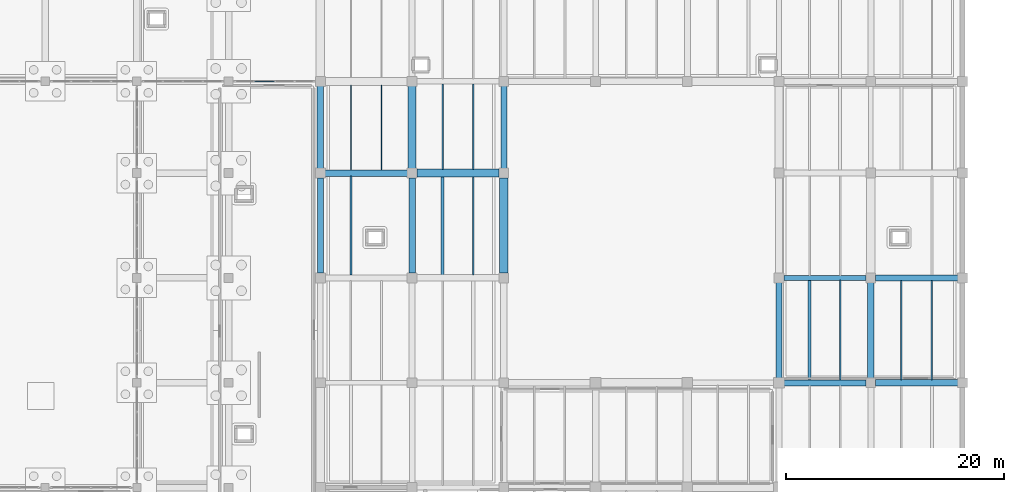
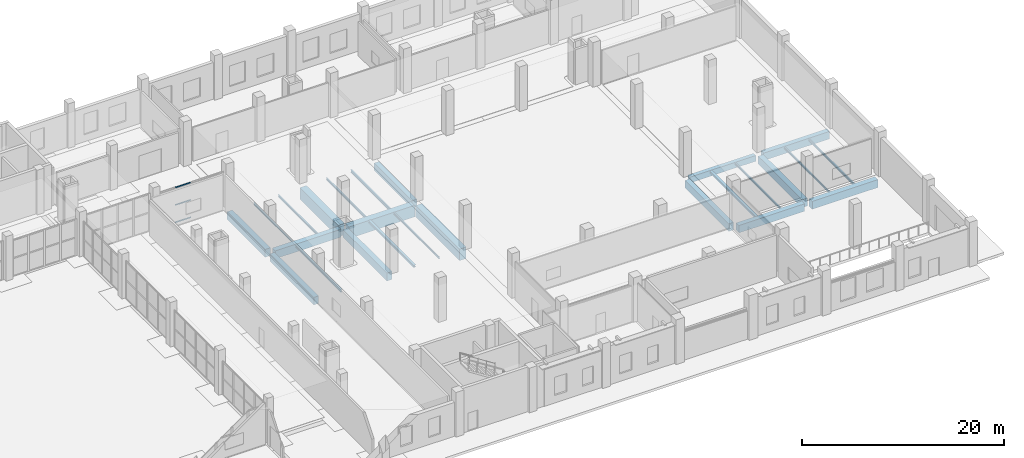
# One storey, part 26 of 65: 25 beams, 3 members, 1 element without a shape of its own.
"""IFC4 building model written with IfcOpenShell, lengths in metres."""

from ifc_helpers import new_model, si_unit, direction, frame, origin, origin_2d, place, context, subcontext, project, spatial, rectangle, hollow_rectangle, i_section, extrude, material, layer, layer_set, material_profile, profile_set, type_object, element, aggregate, save


model = new_model("IFC4")

# Units and contexts
model_context = context("Model", 3, precision=1e-05, world=origin(), true_north=direction((0.0, 1.0)))
body_context = subcontext(model_context, "Body", "Model", "MODEL_VIEW")
ifc_project = project(units=[si_unit("LENGTHUNIT", "METRE"), si_unit("AREAUNIT", "SQUARE_METRE"), si_unit("VOLUMEUNIT", "CUBIC_METRE"), si_unit("PLANEANGLEUNIT", "RADIAN"), si_unit("MASSUNIT", "GRAM", prefix="KILO")], contexts=[model_context])

# Site, building, storey
site_placement = place(None, origin())
site = spatial("IfcSite", under=ifc_project, at=site_placement, CompositionType="ELEMENT")
building_placement = place(site_placement, origin())
building = spatial("IfcBuilding", under=site, at=building_placement, Name="Zulmaris Art Gallery", CompositionType="ELEMENT")
storey_placement = place(building_placement, origin())
storey = spatial("IfcBuildingStorey", under=building, at=storey_placement, Name="L00", CompositionType="ELEMENT", Elevation=0.0)

# Beams
ifc_material_1 = material(Name="Concrete C40/50", Category="concrete")
ifc_material_profile_1 = material_profile(ifc_material_1, rectangle(XDim=0.449951171875, YDim=0.699951171875, at=origin_2d()), Name="RC 450x700")
ifc_profile_set_1 = profile_set([ifc_material_profile_1], Name="Concrete C40/50")
beam_type_1 = type_object("IfcBeamType", Name="BEAM-BM19", PredefinedType="BEAM", material=ifc_profile_set_1)
beam_1_placement = place(storey_placement, frame((184.034912109375, 40.800048828125, -0.7548828125), z_axis=(1.0, 0.0, 0.0), x_axis=(0.0, 1.0, 0.0)))
element("IfcBeam", 1, at=beam_1_placement, inside=storey, type_object=beam_type_1, Name="L00 X-girder (183.6..192.0, y=40.8)", PredefinedType="BEAM", context=body_context, shape_type="SweptSolid", body=[
    extrude(rectangle(XDim=0.449951171875, YDim=0.699951171875, at=origin_2d()), origin(), (0.0, 0.0, 1.0), 7.530029296875),
])
ifc_material_profile_2 = material_profile(ifc_material_1, rectangle(XDim=0.550048828125, YDim=0.89990234375, at=origin_2d()), Name="RC 550x900")
ifc_profile_set_2 = profile_set([ifc_material_profile_2], Name="Concrete C40/50")
beam_type_2 = type_object("IfcBeamType", Name="BEAM-BM21", PredefinedType="BEAM", material=ifc_profile_set_2)
beam_2_placement = place(storey_placement, frame((184.06005859375, 31.199951171875, -0.860107421875), z_axis=(1.0, 0.0, 0.0), x_axis=(0.0, 1.0, 0.0)))
element("IfcBeam", 2, at=beam_2_placement, inside=storey, type_object=beam_type_2, Name="L00 X-girder (183.6..192.0, y=31.2)", PredefinedType="BEAM", context=body_context, shape_type="SweptSolid", body=[
    extrude(rectangle(XDim=0.550048828125, YDim=0.89990234375, at=origin_2d()), origin(), (0.0, 0.0, 1.0), 7.5048828125),
])
beam_3_placement = place(storey_placement, frame((192.43505859375, 40.800048828125, -0.860107421875), z_axis=(1.0, 0.0, 0.0), x_axis=(0.0, 1.0, 0.0)))
element("IfcBeam", 3, at=beam_3_placement, inside=storey, type_object=beam_type_2, Name="L00 X-girder (192.0..200.4, y=40.8)", PredefinedType="BEAM", context=body_context, shape_type="SweptSolid", body=[
    extrude(rectangle(XDim=0.550048828125, YDim=0.89990234375, at=origin_2d()), origin(), (0.0, 0.0, 1.0), 7.530029296875),
])
beam_4_placement = place(storey_placement, frame((141.60009765625, 41.235107421875, -0.860107421875), z_axis=(0.0, 1.0, 0.0), x_axis=(-1.0, 0.0, 0.0)))
element("IfcBeam", 4, at=beam_4_placement, inside=storey, type_object=beam_type_2, Name="L00 Y-girder (x=141.6, 40.8..50.4)", PredefinedType="BEAM", context=body_context, shape_type="SweptSolid", body=[
    extrude(rectangle(XDim=0.550048828125, YDim=0.89990234375, at=origin_2d()), origin(), (0.0, 0.0, 1.0), 8.72998046875),
])
beam_5_placement = place(storey_placement, frame((158.39990234375, 50.8349609375, -0.85498046875), z_axis=(0.0, 1.0, 0.0), x_axis=(-1.0, 0.0, 0.0)))
element("IfcBeam", 5, at=beam_5_placement, inside=storey, type_object=beam_type_2, Name="L00 Y-girder (x=158.4, 50.4..58.8)", PredefinedType="BEAM", context=body_context, shape_type="SweptSolid", body=[
    extrude(rectangle(XDim=0.550048828125, YDim=0.89990234375, at=origin_2d()), origin(), (0.0, 0.0, 1.0), 7.530029296875),
])
beam_6_placement = place(storey_placement, frame((183.60009765625, 31.659912109375, -0.860107421875), z_axis=(0.0, 1.0, 0.0), x_axis=(-1.0, 0.0, 0.0)))
element("IfcBeam", 6, at=beam_6_placement, inside=storey, type_object=beam_type_2, Name="L00 Y-girder (x=183.6, 31.2..40.8)", PredefinedType="BEAM", context=body_context, shape_type="SweptSolid", body=[
    extrude(rectangle(XDim=0.550048828125, YDim=0.89990234375, at=origin_2d()), origin(), (0.0, 0.0, 1.0), 8.705078125),
])
ifc_material_profile_3 = material_profile(ifc_material_1, rectangle(XDim=0.60009765625, YDim=0.949951171875, at=origin_2d()), Name="RC 600x950")
ifc_profile_set_3 = profile_set([ifc_material_profile_3], Name="Concrete C40/50")
beam_type_3 = type_object("IfcBeamType", Name="BEAM-BM22", PredefinedType="BEAM", material=ifc_profile_set_3)
for number, where, z_axis, x_axis, name in (
    (7, (192.43505859375, 31.199951171875, -0.885009765625), (1.0, 0.0, 0.0), (0.0, 1.0, 0.0), "L00 X-girder (192.0..200.4, y=31.2)"),
    (8, (142.034912109375, 50.39990234375, -0.885009765625), (1.0, 0.0, 0.0), (0.0, 1.0, 0.0), "L00 X-girder (141.6..150.0, y=50.4)"),
    (9, (141.60009765625, 50.8349609375, -0.885009765625), (0.0, 1.0, 0.0), (-1.0, 0.0, 0.0), "L00 Y-girder (x=141.6, 50.4..58.8)"),
):
    element("IfcBeam", number, at=place(storey_placement, frame(where, z_axis=z_axis, x_axis=x_axis)), inside=storey, type_object=beam_type_3, Name=name, PredefinedType="BEAM", context=body_context, shape_type="SweptSolid", body=[
        extrude(rectangle(XDim=0.60009765625, YDim=0.949951171875, at=origin_2d()), origin(), (0.0, 0.0, 1.0), 7.530029296875),
    ])
for number, where, z_axis, x_axis, name in (
    (10, (150.0, 41.235107421875, -0.885009765625), (0.0, 1.0, 0.0), (-1.0, 0.0, 0.0), "L00 Y-girder (x=150.0, 40.8..50.4)"),
    (11, (192.0, 31.635009765625, -0.885009765625), (0.0, 1.0, 0.0), (-1.0, 0.0, 0.0), "L00 Y-girder (x=192.0, 31.2..40.8)"),
):
    element("IfcBeam", number, at=place(storey_placement, frame(where, z_axis=z_axis, x_axis=x_axis)), inside=storey, type_object=beam_type_3, Name=name, PredefinedType="BEAM", context=body_context, shape_type="SweptSolid", body=[
        extrude(rectangle(XDim=0.60009765625, YDim=0.949951171875, at=origin_2d()), origin(), (0.0, 0.0, 1.0), 8.72998046875),
    ])
ifc_material_2 = material(Name="Concrete C50/60", Category="concrete")
ifc_material_profile_4 = material_profile(ifc_material_2, rectangle(XDim=0.75, YDim=1.39990234375, at=origin_2d()), Name="RC 750x1400")
ifc_profile_set_4 = profile_set([ifc_material_profile_4], Name="Concrete C50/60")
beam_type_4 = type_object("IfcBeamType", Name="BEAM-BM23", PredefinedType="BEAM", material=ifc_profile_set_4)
for number, where, z_axis, x_axis, name in (
    (12, (150.43505859375, 50.39990234375, -1.110107421875), (1.0, 0.0, 0.0), (0.0, 1.0, 0.0), "L00 X-girder (150.0..158.4, y=50.4)"),
    (13, (150.0, 50.8349609375, -1.110107421875), (0.0, 1.0, 0.0), (-1.0, 0.0, 0.0), "L00 Y-girder (x=150.0, 50.4..58.8)"),
):
    element("IfcBeam", number, at=place(storey_placement, frame(where, z_axis=z_axis, x_axis=x_axis)), inside=storey, type_object=beam_type_4, Name=name, PredefinedType="BEAM", context=body_context, shape_type="SweptSolid", body=[
        extrude(rectangle(XDim=0.75, YDim=1.39990234375, at=origin_2d()), origin(), (0.0, 0.0, 1.0), 7.530029296875),
    ])
beam_7_placement = place(storey_placement, frame((158.39990234375, 41.235107421875, -1.110107421875), z_axis=(0.0, 1.0, 0.0), x_axis=(-1.0, 0.0, 0.0)))
element("IfcBeam", 14, at=beam_7_placement, inside=storey, type_object=beam_type_4, Name="L00 Y-girder (x=158.4, 40.8..50.4)", PredefinedType="BEAM", context=body_context, shape_type="SweptSolid", body=[
    extrude(rectangle(XDim=0.75, YDim=1.39990234375, at=origin_2d()), origin(), (0.0, 0.0, 1.0), 8.72998046875),
])
ifc_material_3 = material(Name="Steel S355J2", Category="steel")
ifc_material_profile_5 = material_profile(ifc_material_3, i_section(OverallWidth=0.1201171875, OverallDepth=0.239990234375, WebThickness=0.006103515625, FlangeThickness=0.009765625, FilletRadius=0.014892578125, at=origin_2d()), Name="IPE 240")
ifc_profile_set_5 = profile_set([ifc_material_profile_5], Name="Steel S355J2")
beam_type_5 = type_object("IfcBeamType", Name="BEAM-JS01", PredefinedType="JOIST", material=ifc_profile_set_5)
beam_8_placement = place(storey_placement, frame((144.39990234375, 50.675048828125, -0.530029296875), z_axis=(0.0, 1.0, 0.0), x_axis=(-1.0, 0.0, 0.0)))
element("IfcBeam", 15, at=beam_8_placement, inside=storey, type_object=beam_type_5, Name="L00 secondary joist at x=144.4", PredefinedType="JOIST", context=body_context, shape_type="SweptSolid", body=[
    extrude(i_section(OverallWidth=0.1201171875, OverallDepth=0.239990234375, WebThickness=0.006103515625, FlangeThickness=0.009765625, FilletRadius=0.014892578125, at=origin_2d()), origin(), (0.0, 0.0, 1.0), 7.77490234375),
])
beam_9_placement = place(storey_placement, frame((155.60009765625, 41.074951171875, -0.530029296875), z_axis=(0.0, 1.0, 0.0), x_axis=(-1.0, 0.0, 0.0)))
element("IfcBeam", 16, at=beam_9_placement, inside=storey, type_object=beam_type_5, Name="L00 secondary joist at x=155.6", PredefinedType="JOIST", context=body_context, shape_type="SweptSolid", body=[
    extrude(i_section(OverallWidth=0.1201171875, OverallDepth=0.239990234375, WebThickness=0.006103515625, FlangeThickness=0.009765625, FilletRadius=0.014892578125, at=origin_2d()), origin(), (0.0, 0.0, 1.0), 8.97509765625),
])
beam_10_placement = place(storey_placement, frame((189.199951171875, 31.449951171875, -0.530029296875), z_axis=(0.0, 1.0, 0.0), x_axis=(-1.0, 0.0, 0.0)))
element("IfcBeam", 17, at=beam_10_placement, inside=storey, type_object=beam_type_5, Name="L00 secondary joist at x=189.2", PredefinedType="JOIST", context=body_context, shape_type="SweptSolid", body=[
    extrude(i_section(OverallWidth=0.1201171875, OverallDepth=0.239990234375, WebThickness=0.006103515625, FlangeThickness=0.009765625, FilletRadius=0.014892578125, at=origin_2d()), origin(), (0.0, 0.0, 1.0), 9.150146484375),
])
beam_11_placement = place(storey_placement, frame((194.800048828125, 31.47509765625, -0.530029296875), z_axis=(0.0, 1.0, 0.0), x_axis=(-1.0, 0.0, 0.0)))
element("IfcBeam", 18, at=beam_11_placement, inside=storey, type_object=beam_type_5, Name="L00 secondary joist at x=194.8", PredefinedType="JOIST", context=body_context, shape_type="SweptSolid", body=[
    extrude(i_section(OverallWidth=0.1201171875, OverallDepth=0.239990234375, WebThickness=0.006103515625, FlangeThickness=0.009765625, FilletRadius=0.014892578125, at=origin_2d()), origin(), (0.0, 0.0, 1.0), 9.074951171875),
])
ifc_material_profile_6 = material_profile(ifc_material_3, i_section(OverallWidth=0.135009765625, OverallDepth=0.27001953125, WebThickness=0.006591796875, FlangeThickness=0.01025390625, FilletRadius=0.014892578125, at=origin_2d()), Name="IPE 270")
ifc_profile_set_6 = profile_set([ifc_material_profile_6], Name="Steel S355J2")
beam_type_6 = type_object("IfcBeamType", Name="BEAM-JS02", PredefinedType="JOIST", material=ifc_profile_set_6)
beam_12_placement = place(storey_placement, frame((147.199951171875, 50.675048828125, -0.544921875), z_axis=(0.0, 1.0, 0.0), x_axis=(-1.0, 0.0, 0.0)))
element("IfcBeam", 19, at=beam_12_placement, inside=storey, type_object=beam_type_6, Name="L00 secondary joist at x=147.2", PredefinedType="JOIST", context=body_context, shape_type="SweptSolid", body=[
    extrude(i_section(OverallWidth=0.135009765625, OverallDepth=0.27001953125, WebThickness=0.006591796875, FlangeThickness=0.01025390625, FilletRadius=0.014892578125, at=origin_2d()), origin(), (0.0, 0.0, 1.0), 7.77490234375),
])
beam_13_placement = place(storey_placement, frame((152.800048828125, 50.75, -0.544921875), z_axis=(0.0, 1.0, 0.0), x_axis=(-1.0, 0.0, 0.0)))
element("IfcBeam", 20, at=beam_13_placement, inside=storey, type_object=beam_type_6, Name="L00 secondary joist at x=152.8", PredefinedType="JOIST", context=body_context, shape_type="SweptSolid", body=[
    extrude(i_section(OverallWidth=0.135009765625, OverallDepth=0.27001953125, WebThickness=0.006591796875, FlangeThickness=0.01025390625, FilletRadius=0.014892578125, at=origin_2d()), origin(), (0.0, 0.0, 1.0), 7.824951171875),
])
beam_14_placement = place(storey_placement, frame((197.60009765625, 31.47509765625, -0.544921875), z_axis=(0.0, 1.0, 0.0), x_axis=(-1.0, 0.0, 0.0)))
element("IfcBeam", 21, at=beam_14_placement, inside=storey, type_object=beam_type_6, Name="L00 secondary joist at x=197.6", PredefinedType="JOIST", context=body_context, shape_type="SweptSolid", body=[
    extrude(i_section(OverallWidth=0.135009765625, OverallDepth=0.27001953125, WebThickness=0.006591796875, FlangeThickness=0.01025390625, FilletRadius=0.014892578125, at=origin_2d()), origin(), (0.0, 0.0, 1.0), 9.074951171875),
])
ifc_material_profile_7 = material_profile(ifc_material_3, i_section(OverallWidth=0.159912109375, OverallDepth=0.330078125, WebThickness=0.007568359375, FlangeThickness=0.011474609375, FilletRadius=0.01806640625, at=origin_2d()), Name="IPE 330")
ifc_profile_set_7 = profile_set([ifc_material_profile_7], Name="Steel S355J2")
beam_type_7 = type_object("IfcBeamType", Name="BEAM-JS03", PredefinedType="JOIST", material=ifc_profile_set_7)
beam_15_placement = place(storey_placement, frame((144.39990234375, 41.050048828125, -0.574951171875), z_axis=(0.0, 1.0, 0.0), x_axis=(-1.0, 0.0, 0.0)))
element("IfcBeam", 22, at=beam_15_placement, inside=storey, type_object=beam_type_7, Name="L00 secondary joist at x=144.4", PredefinedType="JOIST", context=body_context, shape_type="SweptSolid", body=[
    extrude(i_section(OverallWidth=0.159912109375, OverallDepth=0.330078125, WebThickness=0.007568359375, FlangeThickness=0.011474609375, FilletRadius=0.01806640625, at=origin_2d()), origin(), (0.0, 0.0, 1.0), 9.074951171875),
])
beam_16_placement = place(storey_placement, frame((155.60009765625, 50.75, -0.574951171875), z_axis=(0.0, 1.0, 0.0), x_axis=(-1.0, 0.0, 0.0)))
element("IfcBeam", 23, at=beam_16_placement, inside=storey, type_object=beam_type_7, Name="L00 secondary joist at x=155.6", PredefinedType="JOIST", context=body_context, shape_type="SweptSolid", body=[
    extrude(i_section(OverallWidth=0.159912109375, OverallDepth=0.330078125, WebThickness=0.007568359375, FlangeThickness=0.011474609375, FilletRadius=0.01806640625, at=origin_2d()), origin(), (0.0, 0.0, 1.0), 7.824951171875),
])
ifc_material_profile_8 = material_profile(ifc_material_3, i_section(OverallWidth=0.280029296875, OverallDepth=0.27001953125, WebThickness=0.008056640625, FlangeThickness=0.012939453125, FilletRadius=0.02392578125, at=origin_2d()), Name="HEA 280")
ifc_profile_set_8 = profile_set([ifc_material_profile_8], Name="Steel S355J2")
beam_type_8 = type_object("IfcBeamType", Name="BEAM-JS04", PredefinedType="JOIST", material=ifc_profile_set_8)
beam_17_placement = place(storey_placement, frame((152.800048828125, 41.074951171875, -0.544921875), z_axis=(0.0, 1.0, 0.0), x_axis=(-1.0, 0.0, 0.0)))
element("IfcBeam", 24, at=beam_17_placement, inside=storey, type_object=beam_type_8, Name="L00 secondary joist at x=152.8", PredefinedType="JOIST", context=body_context, shape_type="SweptSolid", body=[
    extrude(i_section(OverallWidth=0.280029296875, OverallDepth=0.27001953125, WebThickness=0.008056640625, FlangeThickness=0.012939453125, FilletRadius=0.02392578125, at=origin_2d()), origin(), (0.0, 0.0, 1.0), 8.97509765625),
])
beam_18_placement = place(storey_placement, frame((186.39990234375, 31.449951171875, -0.544921875), z_axis=(0.0, 1.0, 0.0), x_axis=(-1.0, 0.0, 0.0)))
element("IfcBeam", 25, at=beam_18_placement, inside=storey, type_object=beam_type_8, Name="L00 secondary joist at x=186.4", PredefinedType="JOIST", context=body_context, shape_type="SweptSolid", body=[
    extrude(i_section(OverallWidth=0.280029296875, OverallDepth=0.27001953125, WebThickness=0.008056640625, FlangeThickness=0.012939453125, FilletRadius=0.02392578125, at=origin_2d()), origin(), (0.0, 0.0, 1.0), 9.150146484375),
])

# Curtain wall, members
ifc_material_4 = material(Name="Unitised Low-E Gallery Curtain Wall", Category="aluminium")
ifc_layer = layer(ifc_material_4, 0.179931640625)
ifc_layer_set = layer_set([ifc_layer], Name="Unitised Low-E Gallery Curtain Wall")
curtain_wall_type = type_object("IfcCurtainWallType", Name="CW-CW01", PredefinedType="NOTDEFINED", material=ifc_layer_set)
curtain_wall_placement = place(storey_placement, origin())
curtain_wall = element("IfcCurtainWall", 26, at=curtain_wall_placement, inside=storey, type_object=curtain_wall_type, Name="L00 curtain wall 89", PredefinedType="NOTDEFINED")
ifc_material_5 = material(Name="Anodised Bronze Aluminium", Category="aluminium")
ifc_material_profile_9 = material_profile(ifc_material_5, hollow_rectangle(XDim=0.06494140625, YDim=0.14990234375, WallThickness=0.00390625, InnerFilletRadius=0.006103515625, OuterFilletRadius=0.010009765625, at=origin_2d()), Name="ALU 65x150x4")
ifc_profile_set_9 = profile_set([ifc_material_profile_9], Name="Anodised Bronze Aluminium")
member_type = type_object("IfcMemberType", Name="CWTRN-01", PredefinedType="USERDEFINED", material=ifc_profile_set_9)
member_1_placement = place(storey_placement, frame((135.607421875, 58.800048828125, 0.03759765625), z_axis=(1.0, 0.0, 0.0), x_axis=(0.0, 1.0, 0.0)))
member_1 = element("IfcMember", 27, at=member_1_placement, type_object=member_type, Name="CW01 transom 2.1", ObjectType="TRANSOM", PredefinedType="USERDEFINED", context=body_context, shape_type="SweptSolid", body=[
    extrude(hollow_rectangle(XDim=0.06494140625, YDim=0.14990234375, WallThickness=0.00390625, InnerFilletRadius=0.006103515625, OuterFilletRadius=0.010009765625, at=origin_2d()), origin(), (0.0, 0.0, 1.0), 1.755126953125),
])
member_2_placement = place(storey_placement, frame((135.607421875, 58.800048828125, 2.14501953125), z_axis=(1.0, 0.0, 0.0), x_axis=(0.0, 1.0, 0.0)))
member_2 = element("IfcMember", 28, at=member_2_placement, type_object=member_type, Name="CW01 transom 2.2", ObjectType="TRANSOM", PredefinedType="USERDEFINED", context=body_context, shape_type="SweptSolid", body=[
    extrude(hollow_rectangle(XDim=0.06494140625, YDim=0.14990234375, WallThickness=0.00390625, InnerFilletRadius=0.006103515625, OuterFilletRadius=0.010009765625, at=origin_2d()), origin(), (0.0, 0.0, 1.0), 1.755126953125),
])
member_3_placement = place(storey_placement, frame((135.607421875, 58.800048828125, 4.25244140625), z_axis=(1.0, 0.0, 0.0), x_axis=(0.0, 1.0, 0.0)))
member_3 = element("IfcMember", 29, at=member_3_placement, type_object=member_type, Name="CW01 transom 2.3", ObjectType="TRANSOM", PredefinedType="USERDEFINED", context=body_context, shape_type="SweptSolid", body=[
    extrude(hollow_rectangle(XDim=0.06494140625, YDim=0.14990234375, WallThickness=0.00390625, InnerFilletRadius=0.006103515625, OuterFilletRadius=0.010009765625, at=origin_2d()), origin(), (0.0, 0.0, 1.0), 1.755126953125),
])
aggregate(curtain_wall, [member_1, member_2, member_3])

save(model, "model.ifc")
